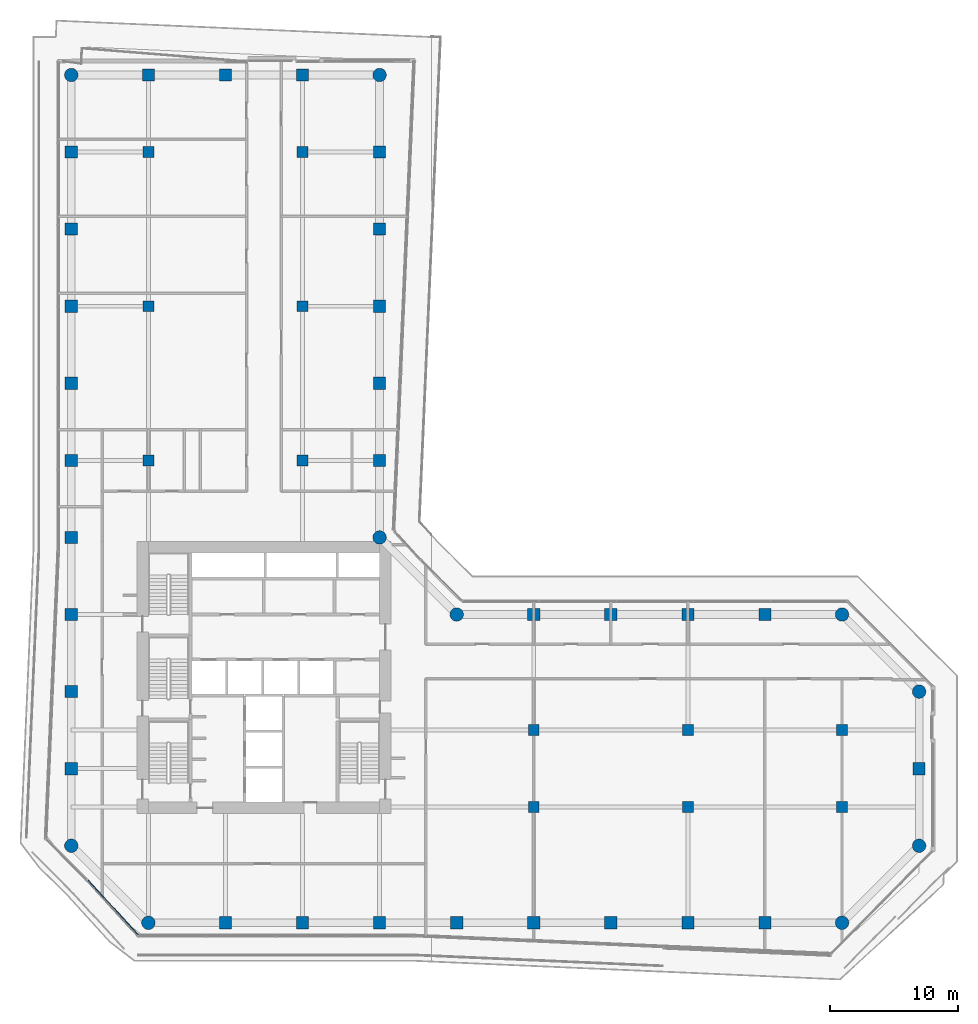
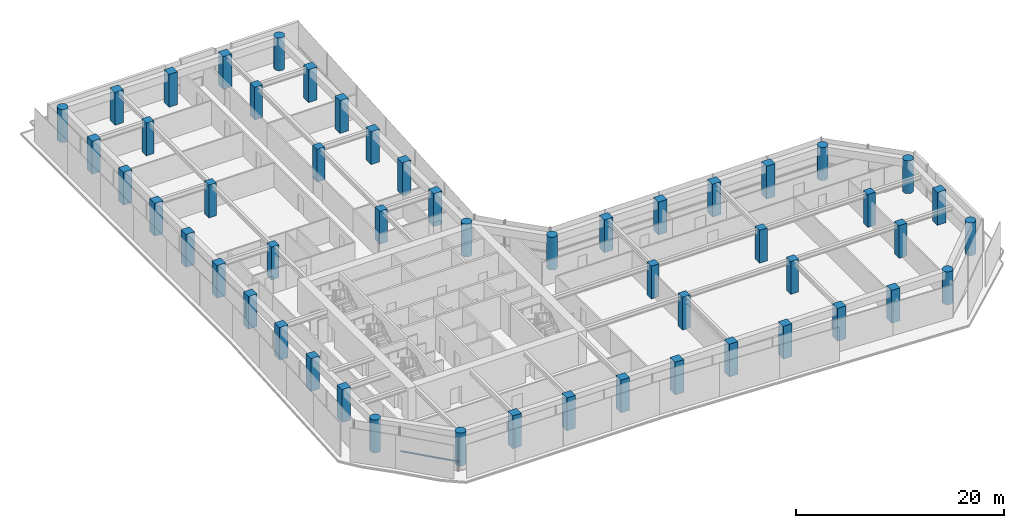
# One storey, part 1 of 29: 52 columns, 1 member, 1 element without a shape of its own.
"""IFC4 building model written with IfcOpenShell, lengths in metres."""

from ifc_helpers import new_model, si_unit, direction, frame, origin, origin_2d, place, context, subcontext, project, spatial, rectangle, circle, extrude, material, layer, layer_set, material_profile, profile_set, type_object, element, aggregate, save


model = new_model("IFC4")

# Units and contexts
model_context = context("Model", 3, precision=1e-05, world=origin(), true_north=direction((0.0, 1.0)))
body_context = subcontext(model_context, "Body", "Model", "MODEL_VIEW")
ifc_project = project(units=[si_unit("LENGTHUNIT", "METRE"), si_unit("AREAUNIT", "SQUARE_METRE"), si_unit("VOLUMEUNIT", "CUBIC_METRE"), si_unit("PLANEANGLEUNIT", "RADIAN"), si_unit("MASSUNIT", "GRAM", prefix="KILO")], contexts=[model_context])

# Site, building, storey
site_placement = place(None, origin())
site = spatial("IfcSite", under=ifc_project, at=site_placement, CompositionType="ELEMENT")
building_placement = place(site_placement, origin())
building = spatial("IfcBuilding", under=site, at=building_placement, Name="Welwitschia Terrace Campus", CompositionType="ELEMENT")
storey_placement = place(building_placement, frame((0.0, 0.0, 41.60009765625)))
storey = spatial("IfcBuildingStorey", under=building, at=storey_placement, Name="L09", CompositionType="ELEMENT", Elevation=41.60009765625)

# Columns
ifc_material_1 = material(Name="Concrete C60/75", Category="concrete")
ifc_material_profile_1 = material_profile(ifc_material_1, circle(Radius=0.52490234375, at=origin_2d()))
ifc_profile_set_1 = profile_set([ifc_material_profile_1], Name="Concrete C60/75")
column_type_1 = type_object("IfcColumnType", Name="Corner column 1050 dia", PredefinedType="COLUMN", material=ifc_profile_set_1)
for number, where, z_axis, x_axis, name in (
    (1, (0.0, 2.0, 0.0), (0.0, 0.0, 1.0), (1.0, 0.0, 0.0), "Column C5"),
    (2, (0.0, 62.0, 0.0), (0.0, 0.0, 1.0), (1.0, 0.0, 0.0), "Column C5"),
    (3, (6.0, -4.0, 0.0), (0.0, 0.0, 1.0), (1.0, 0.0, 0.0), "Column C5"),
    (4, (24.0, 26.0, 0.0), (0.0, 0.0, 1.0), (1.0, 0.0, 0.0), "Column C5"),
    (5, (24.0, 62.0, 0.0), (0.0, 0.0, 1.0), (1.0, 0.0, 0.0), "Column C5"),
    (6, (30.0, 20.0, 0.0), (0.0, 0.0, 1.0), (1.0, 0.0, 0.0), "Column C5"),
    (7, (60.0, -4.0, 0.0), (0.0, 0.0, 1.0), (1.0, 0.0, 0.0), "Column C5"),
    (8, (60.0, 20.0, 0.0), (0.0, 0.0, 1.0), (1.0, 0.0, 0.0), "Column C5"),
    (9, (66.0, 2.0, 0.0), (0.0, 0.0, 1.0), (1.0, 0.0, 0.0), "Column C5"),
    (10, (66.0, 14.0, 0.0), (0.0, 0.0, 1.0), (1.0, 0.0, 0.0), "Column C5"),
):
    element("IfcColumn", number, at=place(storey_placement, frame(where, z_axis=z_axis, x_axis=x_axis)), inside=storey, type_object=column_type_1, Name=name, PredefinedType="COLUMN", context=body_context, shape_type="SweptSolid", body=[
        extrude(circle(Radius=0.52490234375, at=origin_2d()), origin(), (0.0, 0.0, 1.0), 3.849853515625),
    ])
ifc_material_2 = material(Name="Concrete C60/75", Category="concrete")
ifc_material_profile_2 = material_profile(ifc_material_2, rectangle(XDim=0.85009765625, YDim=0.85009765625, at=origin_2d()))
ifc_profile_set_2 = profile_set([ifc_material_profile_2], Name="Concrete C60/75")
column_type_2 = type_object("IfcColumnType", Name="Interior column 850x850", PredefinedType="COLUMN", material=ifc_profile_set_2)
for number, where, z_axis, x_axis, name in (
    (11, (6.0, 32.0, 0.0), (0.0, 0.0, 1.0), (1.0, 0.0, 0.0), "Column C7"),
    (12, (6.0, 44.0, 0.0), (0.0, 0.0, 1.0), (1.0, 0.0, 0.0), "Column C7"),
    (13, (6.0, 56.0, 0.0), (0.0, 0.0, 1.0), (1.0, 0.0, 0.0), "Column C7"),
    (14, (18.0, 32.0, 0.0), (0.0, 0.0, 1.0), (1.0, 0.0, 0.0), "Column C7"),
    (15, (18.0, 44.0, 0.0), (0.0, 0.0, 1.0), (1.0, 0.0, 0.0), "Column C7"),
    (16, (18.0, 56.0, 0.0), (0.0, 0.0, 1.0), (1.0, 0.0, 0.0), "Column C7"),
    (17, (36.0, 5.0, 0.0), (0.0, 0.0, 1.0), (1.0, 0.0, 0.0), "Column C7"),
    (18, (36.0, 11.0, 0.0), (0.0, 0.0, 1.0), (1.0, 0.0, 0.0), "Column C7"),
    (19, (48.0, 5.0, 0.0), (0.0, 0.0, 1.0), (1.0, 0.0, 0.0), "Column C7"),
    (20, (48.0, 11.0, 0.0), (0.0, 0.0, 1.0), (1.0, 0.0, 0.0), "Column C7"),
    (21, (60.0, 5.0, 0.0), (0.0, 0.0, 1.0), (1.0, 0.0, 0.0), "Column C7"),
    (22, (60.0, 11.0, 0.0), (0.0, 0.0, 1.0), (1.0, 0.0, 0.0), "Column C7"),
):
    element("IfcColumn", number, at=place(storey_placement, frame(where, z_axis=z_axis, x_axis=x_axis)), inside=storey, type_object=column_type_2, Name=name, PredefinedType="COLUMN", context=body_context, shape_type="SweptSolid", body=[
        extrude(rectangle(XDim=0.85009765625, YDim=0.85009765625, at=origin_2d()), origin(), (0.0, 0.0, 1.0), 3.849853515625),
    ])
ifc_material_3 = material(Name="Concrete C60/75", Category="concrete")
ifc_material_profile_3 = material_profile(ifc_material_3, rectangle(XDim=0.949951171875, YDim=0.949951171875, at=origin_2d()))
ifc_profile_set_3 = profile_set([ifc_material_profile_3], Name="Concrete C60/75")
column_type_3 = type_object("IfcColumnType", Name="Ring column 950x950", PredefinedType="COLUMN", material=ifc_profile_set_3)
for number, where, z_axis, x_axis, name in (
    (23, (0.0, 8.0, 0.0), (0.0, 0.0, 1.0), (1.0, 0.0, 0.0), "Column C6"),
    (24, (0.0, 14.0, 0.0), (0.0, 0.0, 1.0), (1.0, 0.0, 0.0), "Column C6"),
    (25, (0.0, 20.0, 0.0), (0.0, 0.0, 1.0), (1.0, 0.0, 0.0), "Column C6"),
    (26, (0.0, 26.0, 0.0), (0.0, 0.0, 1.0), (1.0, 0.0, 0.0), "Column C6"),
    (27, (0.0, 32.0, 0.0), (0.0, 0.0, 1.0), (1.0, 0.0, 0.0), "Column C6"),
    (28, (0.0, 38.0, 0.0), (0.0, 0.0, 1.0), (1.0, 0.0, 0.0), "Column C6"),
    (29, (0.0, 44.0, 0.0), (0.0, 0.0, 1.0), (1.0, 0.0, 0.0), "Column C6"),
    (30, (0.0, 50.0, 0.0), (0.0, 0.0, 1.0), (1.0, 0.0, 0.0), "Column C6"),
    (31, (0.0, 56.0, 0.0), (0.0, 0.0, 1.0), (1.0, 0.0, 0.0), "Column C6"),
    (32, (6.0, 62.0, 0.0), (0.0, 0.0, 1.0), (1.0, 0.0, 0.0), "Column C6"),
    (33, (12.0, -4.0, 0.0), (0.0, 0.0, 1.0), (1.0, 0.0, 0.0), "Column C6"),
    (34, (12.0, 62.0, 0.0), (0.0, 0.0, 1.0), (1.0, 0.0, 0.0), "Column C6"),
    (35, (18.0, -4.0, 0.0), (0.0, 0.0, 1.0), (1.0, 0.0, 0.0), "Column C6"),
    (36, (18.0, 62.0, 0.0), (0.0, 0.0, 1.0), (1.0, 0.0, 0.0), "Column C6"),
    (37, (24.0, -4.0, 0.0), (0.0, 0.0, 1.0), (1.0, 0.0, 0.0), "Column C6"),
    (38, (24.0, 32.0, 0.0), (0.0, 0.0, 1.0), (1.0, 0.0, 0.0), "Column C6"),
    (39, (24.0, 38.0, 0.0), (0.0, 0.0, 1.0), (1.0, 0.0, 0.0), "Column C6"),
    (40, (24.0, 44.0, 0.0), (0.0, 0.0, 1.0), (1.0, 0.0, 0.0), "Column C6"),
    (41, (24.0, 50.0, 0.0), (0.0, 0.0, 1.0), (1.0, 0.0, 0.0), "Column C6"),
    (42, (24.0, 56.0, 0.0), (0.0, 0.0, 1.0), (1.0, 0.0, 0.0), "Column C6"),
    (43, (30.0, -4.0, 0.0), (0.0, 0.0, 1.0), (1.0, 0.0, 0.0), "Column C6"),
    (44, (36.0, -4.0, 0.0), (0.0, 0.0, 1.0), (1.0, 0.0, 0.0), "Column C6"),
    (45, (36.0, 20.0, 0.0), (0.0, 0.0, 1.0), (1.0, 0.0, 0.0), "Column C6"),
    (46, (42.0, -4.0, 0.0), (0.0, 0.0, 1.0), (1.0, 0.0, 0.0), "Column C6"),
    (47, (42.0, 20.0, 0.0), (0.0, 0.0, 1.0), (1.0, 0.0, 0.0), "Column C6"),
    (48, (48.0, -4.0, 0.0), (0.0, 0.0, 1.0), (1.0, 0.0, 0.0), "Column C6"),
    (49, (48.0, 20.0, 0.0), (0.0, 0.0, 1.0), (1.0, 0.0, 0.0), "Column C6"),
    (50, (54.0, -4.0, 0.0), (0.0, 0.0, 1.0), (1.0, 0.0, 0.0), "Column C6"),
    (51, (54.0, 20.0, 0.0), (0.0, 0.0, 1.0), (1.0, 0.0, 0.0), "Column C6"),
    (52, (66.0, 8.0, 0.0), (0.0, 0.0, 1.0), (1.0, 0.0, 0.0), "Column C6"),
):
    element("IfcColumn", number, at=place(storey_placement, frame(where, z_axis=z_axis, x_axis=x_axis)), inside=storey, type_object=column_type_3, Name=name, PredefinedType="COLUMN", context=body_context, shape_type="SweptSolid", body=[
        extrude(rectangle(XDim=0.949951171875, YDim=0.949951171875, at=origin_2d()), origin(), (0.0, 0.0, 1.0), 3.849853515625),
    ])

# Curtain wall, member
ifc_material_4 = material(Name="Bronze anodised aluminium", Category="aluminium")
ifc_layer = layer(ifc_material_4, 0.1201171875)
ifc_layer_set = layer_set([ifc_layer], Name="Bronze anodised aluminium")
curtain_wall_type = type_object("IfcCurtainWallType", Name="Curtain wall CW2 tower 6000", PredefinedType="NOTDEFINED", material=ifc_layer_set)
curtain_wall_placement = place(storey_placement, origin())
curtain_wall = element("IfcCurtainWall", 53, at=curtain_wall_placement, inside=storey, type_object=curtain_wall_type, Name="CW L09.2.0", PredefinedType="NOTDEFINED")
ifc_material_5 = material(Name="Bronze anodised aluminium", Category="aluminium")
ifc_material_profile_4 = material_profile(ifc_material_5, rectangle(XDim=0.06005859375, YDim=0.14990234375, at=origin_2d()))
ifc_profile_set_4 = profile_set([ifc_material_profile_4], Name="Bronze anodised aluminium")
member_type = type_object("IfcMemberType", Name="Transom 60x150", PredefinedType="USERDEFINED", material=ifc_profile_set_4)
member_placement = place(storey_placement, frame((1.29345703125, -0.666259765625, 1.0), z_axis=(0.675591514287, -0.737276139465, 0.0), x_axis=(0.737276139465, 0.675591514287, 0.0)))
member = element("IfcMember", 54, at=member_placement, type_object=member_type, Name="Transom L09.2.0", ObjectType="TRANSOM", PredefinedType="USERDEFINED", context=body_context, shape_type="SweptSolid", body=[
    extrude(rectangle(XDim=0.06005859375, YDim=0.14990234375, at=origin_2d()), origin(), (0.0, 0.0, 1.0), 5.814208984375),
])
aggregate(curtain_wall, [member])

save(model, "model.ifc")
